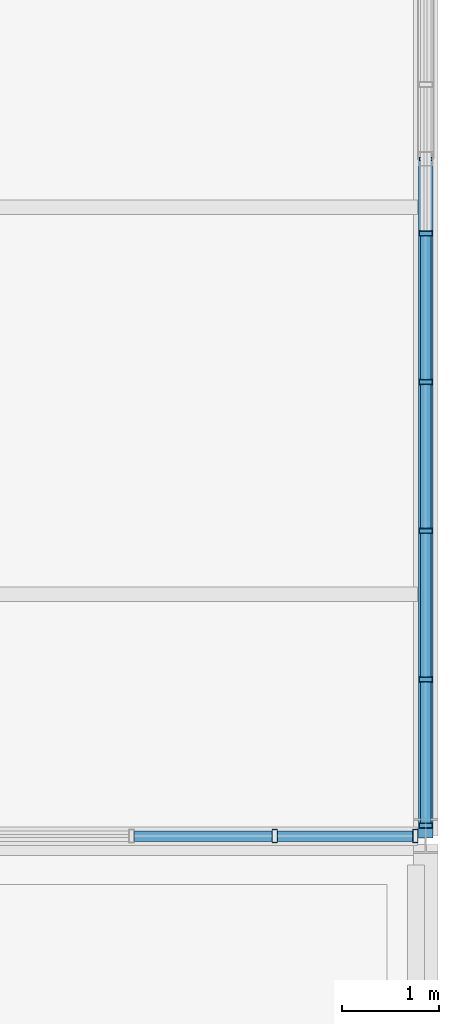
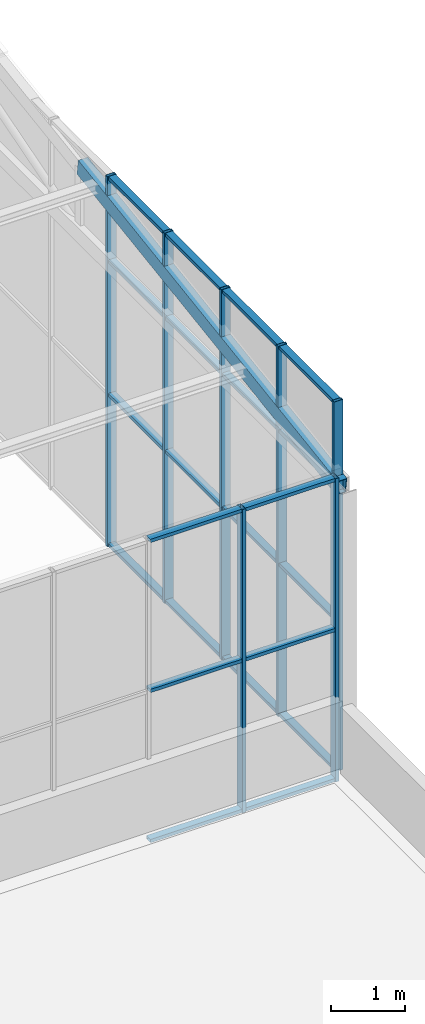
# One storey, part 62 of 104: 30 members, 2 elements without a shape of their own.
"""IFC4 building model written with IfcOpenShell, lengths in metres."""

from ifc_helpers import new_model, si_unit, direction, frame, origin, origin_2d, place, context, subcontext, project, spatial, hollow_rectangle, extrude, material, layer, layer_set, material_profile, profile_set, type_object, element, aggregate, save


model = new_model("IFC4")

# Units and contexts
model_context = context("Model", 3, precision=1e-05, world=origin(), true_north=direction((0.0, 1.0)))
body_context = subcontext(model_context, "Body", "Model", "MODEL_VIEW")
ifc_project = project(units=[si_unit("LENGTHUNIT", "METRE"), si_unit("AREAUNIT", "SQUARE_METRE"), si_unit("VOLUMEUNIT", "CUBIC_METRE"), si_unit("PLANEANGLEUNIT", "RADIAN"), si_unit("MASSUNIT", "GRAM", prefix="KILO")], contexts=[model_context])

# Site, building, storey
site_placement = place(None, origin())
site = spatial("IfcSite", under=ifc_project, at=site_placement, CompositionType="ELEMENT")
building_placement = place(site_placement, origin())
building = spatial("IfcBuilding", under=site, at=building_placement, Name="Solvenia Promenade Tram Depot", CompositionType="ELEMENT")
storey_placement = place(building_placement, frame((0.0, 0.0, 9.0)))
storey = spatial("IfcBuildingStorey", under=building, at=storey_placement, Name="L02", CompositionType="ELEMENT", Elevation=9.0)

# Curtain wall, members
ifc_material_1 = material(Name="Anodized aluminium AW-6063 T6", Category="aluminium")
ifc_layer = layer(ifc_material_1, 0.080078125, Name="Anodized aluminium AW-6063 T6", Category="aluminium")
ifc_layer_set = layer_set([ifc_layer], Name="Anodized aluminium AW-6063 T6")
curtain_wall_type = type_object("IfcCurtainWallType", Name="CW-Clerest-1500", PredefinedType="NOTDEFINED", material=ifc_layer_set)
curtain_wall_1_placement = place(storey_placement, origin())
curtain_wall_1 = element("IfcCurtainWall", 1, at=curtain_wall_1_placement, inside=storey, type_object=curtain_wall_type, Name="Curtain Wall CW-V2S-L2-09", PredefinedType="NOTDEFINED")
ifc_material_profile_1 = material_profile(ifc_material_1, hollow_rectangle(XDim=0.139892578125, YDim=0.054931640625, WallThickness=0.00390625, at=origin_2d()), Name="ALU-M4", Category="aluminium")
ifc_profile_set_1 = profile_set([ifc_material_profile_1], Name="Anodized aluminium AW-6063 T6")
member_type_1 = type_object("IfcMemberType", Name="CWM-Mullion-4", PredefinedType="MULLION", material=ifc_profile_set_1)
member_1_placement = place(storey_placement, frame((184.43994140625, 24.0, -0.300048828125), z_axis=(0.0, 0.0, 1.0), x_axis=(0.0, 1.0, 0.0)))
member_1 = element("IfcMember", 2, at=member_1_placement, type_object=member_type_1, Name="CW-4 mullion 8", PredefinedType="MULLION", context=body_context, shape_type="SweptSolid", body=[
    extrude(hollow_rectangle(XDim=0.139892578125, YDim=0.054931640625, WallThickness=0.00390625, at=origin_2d()), origin(), (0.0, 0.0, 1.0), 5.0),
])
member_2_placement = place(storey_placement, frame((185.892578125, 24.0, -0.300048828125), z_axis=(0.0, 0.0, 1.0), x_axis=(0.0, 1.0, 0.0)))
member_2 = element("IfcMember", 3, at=member_2_placement, type_object=member_type_1, Name="CW-4 mullion 9", PredefinedType="MULLION", context=body_context, shape_type="SweptSolid", body=[
    extrude(hollow_rectangle(XDim=0.139892578125, YDim=0.054931640625, WallThickness=0.00390625, at=origin_2d()), origin(), (0.0, 0.0, 1.0), 5.0),
])

curtain_wall_2_placement = place(storey_placement, origin())
curtain_wall_2 = element("IfcCurtainWall", 4, at=curtain_wall_2_placement, inside=storey, type_object=curtain_wall_type, Name="Curtain Wall CW-V2E-L2-1", PredefinedType="NOTDEFINED")
member_3_placement = place(storey_placement, frame((186.0, 24.107421875, -0.25), z_axis=(0.0, 0.0, 1.0), x_axis=(-1.0, 0.0, 0.0)))
member_3 = element("IfcMember", 5, at=member_3_placement, type_object=member_type_1, Name="CW-4 mullion 1", PredefinedType="MULLION", context=body_context, shape_type="SweptSolid", body=[
    extrude(hollow_rectangle(XDim=0.139892578125, YDim=0.054931640625, WallThickness=0.00390625, at=origin_2d()), origin(), (0.0, 0.0, 1.0), 6.10009765625),
])
member_4_placement = place(storey_placement, frame((186.0, 25.61767578125, -0.25), z_axis=(0.0, 0.0, 1.0), x_axis=(-1.0, 0.0, 0.0)))
member_4 = element("IfcMember", 6, at=member_4_placement, type_object=member_type_1, Name="CW-4 mullion 2", PredefinedType="MULLION", context=body_context, shape_type="SweptSolid", body=[
    extrude(hollow_rectangle(XDim=0.139892578125, YDim=0.054931640625, WallThickness=0.00390625, at=origin_2d()), origin(), (0.0, 0.0, 1.0), 6.10009765625),
])
member_5_placement = place(storey_placement, frame((186.0, 27.155517578125, -0.25), z_axis=(0.0, 0.0, 1.0), x_axis=(-1.0, 0.0, 0.0)))
member_5 = element("IfcMember", 7, at=member_5_placement, type_object=member_type_1, Name="CW-4 mullion 3", PredefinedType="MULLION", context=body_context, shape_type="SweptSolid", body=[
    extrude(hollow_rectangle(XDim=0.139892578125, YDim=0.054931640625, WallThickness=0.00390625, at=origin_2d()), origin(), (0.0, 0.0, 1.0), 6.10009765625),
])
member_6_placement = place(storey_placement, frame((186.0, 28.693359375, -0.25), z_axis=(0.0, 0.0, 1.0), x_axis=(-1.0, 0.0, 0.0)))
member_6 = element("IfcMember", 8, at=member_6_placement, type_object=member_type_1, Name="CW-4 mullion 4", PredefinedType="MULLION", context=body_context, shape_type="SweptSolid", body=[
    extrude(hollow_rectangle(XDim=0.139892578125, YDim=0.054931640625, WallThickness=0.00390625, at=origin_2d()), origin(), (0.0, 0.0, 1.0), 6.10009765625),
])
member_7_placement = place(storey_placement, frame((186.0, 30.231201171875, -0.25), z_axis=(0.0, 0.0, 1.0), x_axis=(-1.0, 0.0, 0.0)))
member_7 = element("IfcMember", 9, at=member_7_placement, type_object=member_type_1, Name="CW-4 mullion 5", PredefinedType="MULLION", context=body_context, shape_type="SweptSolid", body=[
    extrude(hollow_rectangle(XDim=0.139892578125, YDim=0.054931640625, WallThickness=0.00390625, at=origin_2d()), origin(), (0.0, 0.0, 1.0), 6.10009765625),
])

# Member
ifc_material_profile_2 = material_profile(ifc_material_1, hollow_rectangle(XDim=0.110107421875, YDim=0.054931640625, WallThickness=0.00390625, at=origin_2d()), Name="ALU-T4", Category="aluminium")
ifc_profile_set_2 = profile_set([ifc_material_profile_2], Name="Anodized aluminium AW-6063 T6")
member_type_2 = type_object("IfcMemberType", Name="CWT-Transom-4", PredefinedType="USERDEFINED", material=ifc_profile_set_2)
member_8_placement = place(storey_placement, frame((182.987548828125, 24.0, -0.2724609375), z_axis=(1.0, 0.0, 0.0), x_axis=(0.0, 1.0, 0.0)))
member_8 = element("IfcMember", 10, at=member_8_placement, type_object=member_type_2, Name="CW-4 transom 7.1", ObjectType="TRANSOM", PredefinedType="USERDEFINED", context=body_context, shape_type="SweptSolid", body=[
    extrude(hollow_rectangle(XDim=0.110107421875, YDim=0.054931640625, WallThickness=0.00390625, at=origin_2d()), origin(), (0.0, 0.0, 1.0), 1.425048828125),
])

member_9_placement = place(storey_placement, frame((182.987548828125, 24.0, 2.199951171875), z_axis=(1.0, 0.0, 0.0), x_axis=(0.0, 1.0, 0.0)))
member_9 = element("IfcMember", 11, at=member_9_placement, type_object=member_type_2, Name="CW-4 transom 7.2", ObjectType="TRANSOM", PredefinedType="USERDEFINED", context=body_context, shape_type="SweptSolid", body=[
    extrude(hollow_rectangle(XDim=0.110107421875, YDim=0.054931640625, WallThickness=0.00390625, at=origin_2d()), origin(), (0.0, 0.0, 1.0), 1.425048828125),
])

member_10_placement = place(storey_placement, frame((182.987548828125, 24.0, 4.672607421875), z_axis=(1.0, 0.0, 0.0), x_axis=(0.0, 1.0, 0.0)))
member_10 = element("IfcMember", 12, at=member_10_placement, type_object=member_type_2, Name="CW-4 transom 7.3", ObjectType="TRANSOM", PredefinedType="USERDEFINED", context=body_context, shape_type="SweptSolid", body=[
    extrude(hollow_rectangle(XDim=0.110107421875, YDim=0.054931640625, WallThickness=0.00390625, at=origin_2d()), origin(), (0.0, 0.0, 1.0), 1.425048828125),
])

member_11_placement = place(storey_placement, frame((184.467529296875, 24.0, -0.2724609375), z_axis=(1.0, 0.0, 0.0), x_axis=(0.0, 1.0, 0.0)))
member_11 = element("IfcMember", 13, at=member_11_placement, type_object=member_type_2, Name="CW-4 transom 8.1", ObjectType="TRANSOM", PredefinedType="USERDEFINED", context=body_context, shape_type="SweptSolid", body=[
    extrude(hollow_rectangle(XDim=0.110107421875, YDim=0.054931640625, WallThickness=0.00390625, at=origin_2d()), origin(), (0.0, 0.0, 1.0), 1.3974609375),
])

member_12_placement = place(storey_placement, frame((184.467529296875, 24.0, 2.199951171875), z_axis=(1.0, 0.0, 0.0), x_axis=(0.0, 1.0, 0.0)))
member_12 = element("IfcMember", 14, at=member_12_placement, type_object=member_type_2, Name="CW-4 transom 8.2", ObjectType="TRANSOM", PredefinedType="USERDEFINED", context=body_context, shape_type="SweptSolid", body=[
    extrude(hollow_rectangle(XDim=0.110107421875, YDim=0.054931640625, WallThickness=0.00390625, at=origin_2d()), origin(), (0.0, 0.0, 1.0), 1.3974609375),
])

member_13_placement = place(storey_placement, frame((184.467529296875, 24.0, 4.672607421875), z_axis=(1.0, 0.0, 0.0), x_axis=(0.0, 1.0, 0.0)))
member_13 = element("IfcMember", 15, at=member_13_placement, type_object=member_type_2, Name="CW-4 transom 8.3", ObjectType="TRANSOM", PredefinedType="USERDEFINED", context=body_context, shape_type="SweptSolid", body=[
    extrude(hollow_rectangle(XDim=0.110107421875, YDim=0.054931640625, WallThickness=0.00390625, at=origin_2d()), origin(), (0.0, 0.0, 1.0), 1.3974609375),
])

aggregate(curtain_wall_1, [member_1, member_2, member_8, member_9, member_10, member_11, member_12, member_13])

member_14_placement = place(storey_placement, frame((186.0, 24.135009765625, -0.222412109375), z_axis=(0.0, 1.0, 0.0), x_axis=(-1.0, 0.0, 0.0)))
member_14 = element("IfcMember", 16, at=member_14_placement, type_object=member_type_2, Name="CW-4 transom 1.1", ObjectType="TRANSOM", PredefinedType="USERDEFINED", context=body_context, shape_type="SweptSolid", body=[
    extrude(hollow_rectangle(XDim=0.110107421875, YDim=0.054931640625, WallThickness=0.00390625, at=origin_2d()), origin(), (0.0, 0.0, 1.0), 1.455322265625),
])

member_15_placement = place(storey_placement, frame((186.0, 24.135009765625, 2.25), z_axis=(0.0, 1.0, 0.0), x_axis=(-1.0, 0.0, 0.0)))
member_15 = element("IfcMember", 17, at=member_15_placement, type_object=member_type_2, Name="CW-4 transom 1.2", ObjectType="TRANSOM", PredefinedType="USERDEFINED", context=body_context, shape_type="SweptSolid", body=[
    extrude(hollow_rectangle(XDim=0.110107421875, YDim=0.054931640625, WallThickness=0.00390625, at=origin_2d()), origin(), (0.0, 0.0, 1.0), 1.455322265625),
])

member_16_placement = place(storey_placement, frame((186.0, 24.135009765625, 4.449951171875), z_axis=(0.0, 1.0, 0.0), x_axis=(-1.0, 0.0, 0.0)))
member_16 = element("IfcMember", 18, at=member_16_placement, type_object=member_type_2, Name="CW-4 transom 1.3", ObjectType="TRANSOM", PredefinedType="USERDEFINED", context=body_context, shape_type="SweptSolid", body=[
    extrude(hollow_rectangle(XDim=0.110107421875, YDim=0.054931640625, WallThickness=0.00390625, at=origin_2d()), origin(), (0.0, 0.0, 1.0), 1.455322265625),
])

member_17_placement = place(storey_placement, frame((186.0, 24.135009765625, 5.822509765625), z_axis=(0.0, 1.0, 0.0), x_axis=(-1.0, 0.0, 0.0)))
member_17 = element("IfcMember", 19, at=member_17_placement, type_object=member_type_2, Name="CW-4 transom 1.4", ObjectType="TRANSOM", PredefinedType="USERDEFINED", context=body_context, shape_type="SweptSolid", body=[
    extrude(hollow_rectangle(XDim=0.110107421875, YDim=0.054931640625, WallThickness=0.00390625, at=origin_2d()), origin(), (0.0, 0.0, 1.0), 1.455322265625),
])

member_18_placement = place(storey_placement, frame((186.0, 25.645263671875, -0.222412109375), z_axis=(0.0, 1.0, 0.0), x_axis=(-1.0, 0.0, 0.0)))
member_18 = element("IfcMember", 20, at=member_18_placement, type_object=member_type_2, Name="CW-4 transom 2.1", ObjectType="TRANSOM", PredefinedType="USERDEFINED", context=body_context, shape_type="SweptSolid", body=[
    extrude(hollow_rectangle(XDim=0.110107421875, YDim=0.054931640625, WallThickness=0.00390625, at=origin_2d()), origin(), (0.0, 0.0, 1.0), 1.48291015625),
])

member_19_placement = place(storey_placement, frame((186.0, 25.645263671875, 2.25), z_axis=(0.0, 1.0, 0.0), x_axis=(-1.0, 0.0, 0.0)))
member_19 = element("IfcMember", 21, at=member_19_placement, type_object=member_type_2, Name="CW-4 transom 2.2", ObjectType="TRANSOM", PredefinedType="USERDEFINED", context=body_context, shape_type="SweptSolid", body=[
    extrude(hollow_rectangle(XDim=0.110107421875, YDim=0.054931640625, WallThickness=0.00390625, at=origin_2d()), origin(), (0.0, 0.0, 1.0), 1.48291015625),
])

member_20_placement = place(storey_placement, frame((186.0, 25.645263671875, 4.449951171875), z_axis=(0.0, 1.0, 0.0), x_axis=(-1.0, 0.0, 0.0)))
member_20 = element("IfcMember", 22, at=member_20_placement, type_object=member_type_2, Name="CW-4 transom 2.3", ObjectType="TRANSOM", PredefinedType="USERDEFINED", context=body_context, shape_type="SweptSolid", body=[
    extrude(hollow_rectangle(XDim=0.110107421875, YDim=0.054931640625, WallThickness=0.00390625, at=origin_2d()), origin(), (0.0, 0.0, 1.0), 1.48291015625),
])

member_21_placement = place(storey_placement, frame((186.0, 25.645263671875, 5.822509765625), z_axis=(0.0, 1.0, 0.0), x_axis=(-1.0, 0.0, 0.0)))
member_21 = element("IfcMember", 23, at=member_21_placement, type_object=member_type_2, Name="CW-4 transom 2.4", ObjectType="TRANSOM", PredefinedType="USERDEFINED", context=body_context, shape_type="SweptSolid", body=[
    extrude(hollow_rectangle(XDim=0.110107421875, YDim=0.054931640625, WallThickness=0.00390625, at=origin_2d()), origin(), (0.0, 0.0, 1.0), 1.48291015625),
])

member_22_placement = place(storey_placement, frame((186.0, 27.18310546875, -0.222412109375), z_axis=(0.0, 1.0, 0.0), x_axis=(-1.0, 0.0, 0.0)))
member_22 = element("IfcMember", 24, at=member_22_placement, type_object=member_type_2, Name="CW-4 transom 3.1", ObjectType="TRANSOM", PredefinedType="USERDEFINED", context=body_context, shape_type="SweptSolid", body=[
    extrude(hollow_rectangle(XDim=0.110107421875, YDim=0.054931640625, WallThickness=0.00390625, at=origin_2d()), origin(), (0.0, 0.0, 1.0), 1.482666015625),
])

member_23_placement = place(storey_placement, frame((186.0, 27.18310546875, 2.25), z_axis=(0.0, 1.0, 0.0), x_axis=(-1.0, 0.0, 0.0)))
member_23 = element("IfcMember", 25, at=member_23_placement, type_object=member_type_2, Name="CW-4 transom 3.2", ObjectType="TRANSOM", PredefinedType="USERDEFINED", context=body_context, shape_type="SweptSolid", body=[
    extrude(hollow_rectangle(XDim=0.110107421875, YDim=0.054931640625, WallThickness=0.00390625, at=origin_2d()), origin(), (0.0, 0.0, 1.0), 1.482666015625),
])

member_24_placement = place(storey_placement, frame((186.0, 27.18310546875, 4.449951171875), z_axis=(0.0, 1.0, 0.0), x_axis=(-1.0, 0.0, 0.0)))
member_24 = element("IfcMember", 26, at=member_24_placement, type_object=member_type_2, Name="CW-4 transom 3.3", ObjectType="TRANSOM", PredefinedType="USERDEFINED", context=body_context, shape_type="SweptSolid", body=[
    extrude(hollow_rectangle(XDim=0.110107421875, YDim=0.054931640625, WallThickness=0.00390625, at=origin_2d()), origin(), (0.0, 0.0, 1.0), 1.482666015625),
])

member_25_placement = place(storey_placement, frame((186.0, 27.18310546875, 5.822509765625), z_axis=(0.0, 1.0, 0.0), x_axis=(-1.0, 0.0, 0.0)))
member_25 = element("IfcMember", 27, at=member_25_placement, type_object=member_type_2, Name="CW-4 transom 3.4", ObjectType="TRANSOM", PredefinedType="USERDEFINED", context=body_context, shape_type="SweptSolid", body=[
    extrude(hollow_rectangle(XDim=0.110107421875, YDim=0.054931640625, WallThickness=0.00390625, at=origin_2d()), origin(), (0.0, 0.0, 1.0), 1.482666015625),
])

member_26_placement = place(storey_placement, frame((186.0, 28.720947265625, -0.222412109375), z_axis=(0.0, 1.0, 0.0), x_axis=(-1.0, 0.0, 0.0)))
member_26 = element("IfcMember", 28, at=member_26_placement, type_object=member_type_2, Name="CW-4 transom 4.1", ObjectType="TRANSOM", PredefinedType="USERDEFINED", context=body_context, shape_type="SweptSolid", body=[
    extrude(hollow_rectangle(XDim=0.110107421875, YDim=0.054931640625, WallThickness=0.00390625, at=origin_2d()), origin(), (0.0, 0.0, 1.0), 1.482666015625),
])

member_27_placement = place(storey_placement, frame((186.0, 28.720947265625, 2.25), z_axis=(0.0, 1.0, 0.0), x_axis=(-1.0, 0.0, 0.0)))
member_27 = element("IfcMember", 29, at=member_27_placement, type_object=member_type_2, Name="CW-4 transom 4.2", ObjectType="TRANSOM", PredefinedType="USERDEFINED", context=body_context, shape_type="SweptSolid", body=[
    extrude(hollow_rectangle(XDim=0.110107421875, YDim=0.054931640625, WallThickness=0.00390625, at=origin_2d()), origin(), (0.0, 0.0, 1.0), 1.482666015625),
])

member_28_placement = place(storey_placement, frame((186.0, 28.720947265625, 4.449951171875), z_axis=(0.0, 1.0, 0.0), x_axis=(-1.0, 0.0, 0.0)))
member_28 = element("IfcMember", 30, at=member_28_placement, type_object=member_type_2, Name="CW-4 transom 4.3", ObjectType="TRANSOM", PredefinedType="USERDEFINED", context=body_context, shape_type="SweptSolid", body=[
    extrude(hollow_rectangle(XDim=0.110107421875, YDim=0.054931640625, WallThickness=0.00390625, at=origin_2d()), origin(), (0.0, 0.0, 1.0), 1.482666015625),
])

member_29_placement = place(storey_placement, frame((186.0, 28.720947265625, 5.822509765625), z_axis=(0.0, 1.0, 0.0), x_axis=(-1.0, 0.0, 0.0)))
member_29 = element("IfcMember", 31, at=member_29_placement, type_object=member_type_2, Name="CW-4 transom 4.4", ObjectType="TRANSOM", PredefinedType="USERDEFINED", context=body_context, shape_type="SweptSolid", body=[
    extrude(hollow_rectangle(XDim=0.110107421875, YDim=0.054931640625, WallThickness=0.00390625, at=origin_2d()), origin(), (0.0, 0.0, 1.0), 1.482666015625),
])

aggregate(curtain_wall_2, [member_3, member_4, member_5, member_6, member_7, member_14, member_15, member_16, member_17, member_18, member_19, member_20, member_21, member_22, member_23, member_24, member_25, member_26, member_27, member_28, member_29])

ifc_material_2 = material(Name="Structural steel ASTM A500 Gr. C", Category="steel")
ifc_material_profile_3 = material_profile(ifc_material_2, hollow_rectangle(XDim=0.14990234375, YDim=0.25, WallThickness=0.010009765625, at=origin_2d()), Name="HSS250x150x10", Category="steel")
ifc_profile_set_3 = profile_set([ifc_material_profile_3], Name="Structural steel ASTM A500 Gr. C")
member_type_3 = type_object("IfcMemberType", Name="Chord-HSS250x150x10", PredefinedType="CHORD", material=ifc_profile_set_3)
member_30_placement = place(storey_placement, frame((186.0, 24.0, 4.47998046875), z_axis=(0.0, 0.988935340875, 0.148347199397), x_axis=(-1.0, 0.0, 0.0)))
element("IfcMember", 32, at=member_30_placement, inside=storey, type_object=member_type_3, Name="Crane Hall Clerestory Rafter 10S", PredefinedType="CHORD", context=body_context, shape_type="SweptSolid", body=[
    extrude(hollow_rectangle(XDim=0.14990234375, YDim=0.25, WallThickness=0.010009765625, at=origin_2d()), origin(), (0.0, 0.0, 1.0), 7.078369140625),
])

save(model, "model.ifc")
